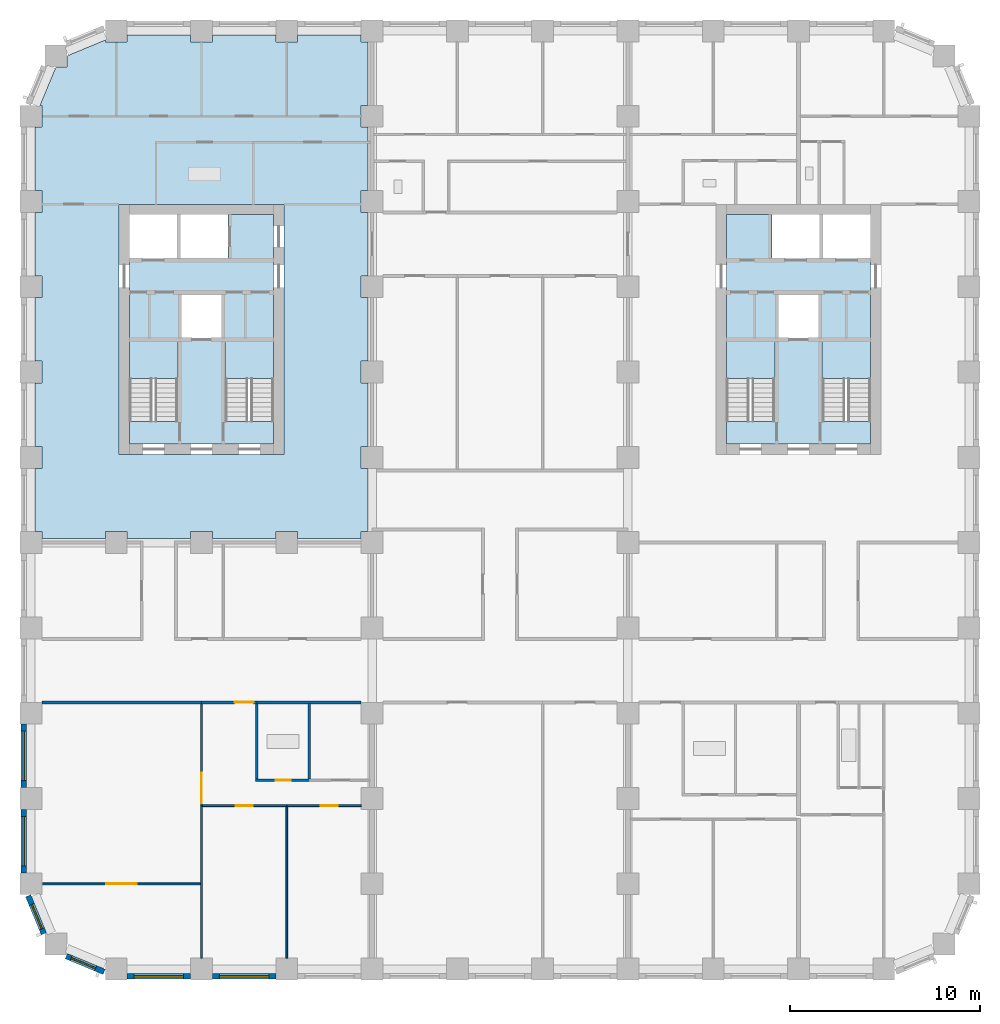
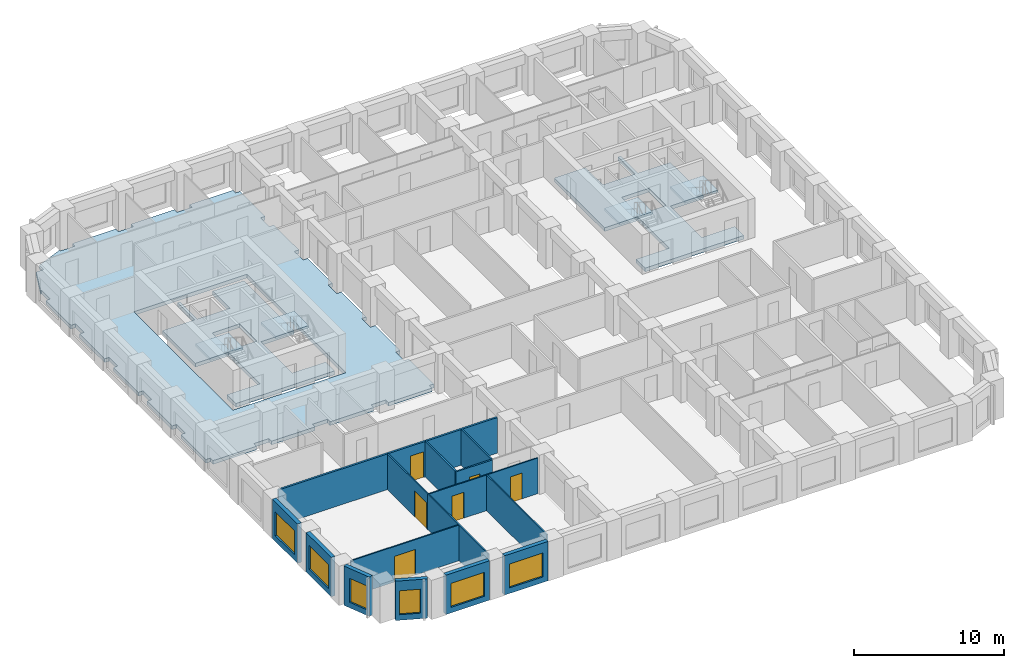
# One storey, part 2 of 13: 18 walls, 7 slabs, 6 doors, 6 windows, 12 openings, 4 elements without a shape of their own.
"""IFC4 building model written with IfcOpenShell, lengths in metres."""

from ifc_helpers import new_model, si_unit, direction, frame, frame_2d, origin, place, context, subcontext, project, spatial, polyline, rectangle, outline, extrude, material, layer, layer_set, type_object, element, fill, aggregate, save


model = new_model("IFC4")

# Units and contexts
model_context = context("Model", 3, precision=1e-05, world=origin(), true_north=direction((0.0, 1.0)))
body_context = subcontext(model_context, "Body", "Model", "MODEL_VIEW")
ifc_project = project(units=[si_unit("LENGTHUNIT", "METRE"), si_unit("AREAUNIT", "SQUARE_METRE"), si_unit("VOLUMEUNIT", "CUBIC_METRE"), si_unit("PLANEANGLEUNIT", "RADIAN"), si_unit("MASSUNIT", "GRAM", prefix="KILO")], contexts=[model_context])

# Site, building, storey
site_placement = place(None, origin())
site = spatial("IfcSite", under=ifc_project, at=site_placement, CompositionType="ELEMENT")
building_placement = place(site_placement, origin())
building = spatial("IfcBuilding", under=site, at=building_placement, Name="Girih Gate Residences", CompositionType="ELEMENT")
storey_placement = place(building_placement, frame((0.0, 0.0, 96.0)))
storey = spatial("IfcBuildingStorey", under=building, at=storey_placement, Name="L26", CompositionType="ELEMENT", Elevation=96.0)

# Slabs
ifc_material_1 = material(Name="Concrete C40/50", Category="concrete")
ifc_layer_1 = layer(ifc_material_1, 0.300048828125)
ifc_layer_set_1 = layer_set([ifc_layer_1], Name="Core floor slab 300")
slab_type_1 = type_object("IfcSlabType", Name="Core floor slab 300", PredefinedType="FLOOR", material=ifc_layer_set_1)
slab_1_placement = place(storey_placement, frame((0.0, 0.0, -0.300048828125)))
element("IfcSlab", 1, at=slab_1_placement, inside=storey, type_object=slab_type_1, Name="L26 W core floor", PredefinedType="FLOOR", context=body_context, shape_type="SweptSolid", body=[
    extrude(outline(polyline([(12.800048828125, 27.699951171875), (5.199951171875, 27.699951171875), (5.199951171875, 28.900634765625), (7.75, 28.900634765625), (7.75, 33.10009765625), (5.199951171875, 33.10009765625), (5.199951171875, 37.5), (7.699951171875, 37.5), (7.699951171875, 39.800048828125), (7.89990234375, 39.800048828125), (7.89990234375, 37.5), (10.39990234375, 37.5), (10.39990234375, 39.800048828125), (12.800048828125, 39.800048828125), (12.800048828125, 33.10009765625), (10.25, 33.10009765625), (10.25, 28.900634765625), (12.800048828125, 28.900634765625), (12.800048828125, 27.699951171875)]), holes=[polyline([(7.949951171875, 33.300048828125), (10.050048828125, 33.300048828125), (10.050048828125, 35.60009765625), (7.949951171875, 35.60009765625), (7.949951171875, 33.300048828125)])]), origin(), (0.0, 0.0, 1.0), 0.300048828125),
])
slab_2_placement = place(storey_placement, frame((0.0, 0.0, -0.300048828125)))
element("IfcSlab", 2, at=slab_2_placement, inside=storey, type_object=slab_type_1, Name="L26 E core floor", PredefinedType="FLOOR", context=body_context, shape_type="SweptSolid", body=[
    extrude(outline(polyline([(44.300048828125, 27.699951171875), (36.699951171875, 27.699951171875), (36.699951171875, 28.900634765625), (39.25, 28.900634765625), (39.25, 33.10009765625), (36.699951171875, 33.10009765625), (36.699951171875, 39.800048828125), (39.10009765625, 39.800048828125), (39.10009765625, 37.5), (41.60009765625, 37.5), (41.60009765625, 39.800048828125), (41.800048828125, 39.800048828125), (41.800048828125, 37.5), (44.300048828125, 37.5), (44.300048828125, 33.10009765625), (41.75, 33.10009765625), (41.75, 28.900634765625), (44.300048828125, 28.900634765625), (44.300048828125, 27.699951171875)]), holes=[polyline([(39.449951171875, 33.300048828125), (41.550048828125, 33.300048828125), (41.550048828125, 35.60009765625), (39.449951171875, 35.60009765625), (39.449951171875, 33.300048828125)])]), origin(), (0.0, 0.0, 1.0), 0.300048828125),
])
ifc_layer_2 = layer(ifc_material_1, 0.300048828125)
ifc_layer_set_2 = layer_set([ifc_layer_2], Name="Floor slab PT 300 Concrete C40/50")
slab_type_2 = type_object("IfcSlabType", Name="Floor slab PT 300 Concrete C40/50", PredefinedType="FLOOR", material=ifc_layer_set_2)
slab_3_placement = place(storey_placement, frame((0.0, 0.0, -0.300048828125)))
element("IfcSlab", 3, at=slab_3_placement, inside=storey, type_object=slab_type_2, Name="Floor slab L26 3", PredefinedType="FLOOR", context=body_context, shape_type="SweptSolid", body=[
    extrude(outline(polyline([(0.22509765625, 26.425048828125), (0.22509765625, 23.074951171875), (0.574951171875, 23.074951171875), (0.574951171875, 22.72509765625), (3.925048828125, 22.72509765625), (3.925048828125, 23.074951171875), (5.074951171875, 23.074951171875), (5.074951171875, 22.72509765625), (8.425048828125, 22.72509765625), (8.425048828125, 23.074951171875), (9.574951171875, 23.074951171875), (9.574951171875, 22.72509765625), (12.925048828125, 22.72509765625), (12.925048828125, 23.074951171875), (14.074951171875, 23.074951171875), (14.074951171875, 22.72509765625), (17.425048828125, 22.72509765625), (17.425048828125, 23.074951171875), (17.77490234375, 23.074951171875), (17.77490234375, 26.425048828125), (17.425048828125, 26.425048828125), (17.425048828125, 27.574951171875), (17.77490234375, 27.574951171875), (17.77490234375, 30.925048828125), (17.425048828125, 30.925048828125), (17.425048828125, 32.074951171875), (17.77490234375, 32.074951171875), (17.77490234375, 35.425048828125), (17.425048828125, 35.425048828125), (17.425048828125, 36.574951171875), (17.77490234375, 36.574951171875), (17.77490234375, 39.925048828125), (17.425048828125, 39.925048828125), (17.425048828125, 41.074951171875), (17.77490234375, 41.074951171875), (17.77490234375, 44.425048828125), (17.425048828125, 44.425048828125), (17.425048828125, 45.574951171875), (17.77490234375, 45.574951171875), (17.77490234375, 48.925048828125), (17.425048828125, 48.925048828125), (17.425048828125, 49.27490234375), (14.074951171875, 49.27490234375), (14.074951171875, 48.925048828125), (12.925048828125, 48.925048828125), (12.925048828125, 49.27490234375), (9.574951171875, 49.27490234375), (9.574951171875, 48.925048828125), (8.425048828125, 48.925048828125), (8.425048828125, 49.27490234375), (5.074951171875, 49.27490234375), (5.074951171875, 48.925048828125), (3.925048828125, 48.925048828125), (3.925048828125, 49.018310546875), (1.89306640625, 48.176513671875), (1.89306640625, 47.60693359375), (1.323486328125, 47.60693359375), (0.481689453125, 45.574951171875), (0.574951171875, 45.574951171875), (0.574951171875, 44.425048828125), (0.22509765625, 44.425048828125), (0.22509765625, 41.074951171875), (0.574951171875, 41.074951171875), (0.574951171875, 39.925048828125), (0.22509765625, 39.925048828125), (0.22509765625, 36.574951171875), (0.574951171875, 36.574951171875), (0.574951171875, 35.425048828125), (0.22509765625, 35.425048828125), (0.22509765625, 32.074951171875), (0.574951171875, 32.074951171875), (0.574951171875, 30.925048828125), (0.22509765625, 30.925048828125), (0.22509765625, 27.574951171875), (0.574951171875, 27.574951171875), (0.574951171875, 26.425048828125), (0.22509765625, 26.425048828125)]), holes=[polyline([(13.35009765625, 40.35009765625), (13.35009765625, 27.14990234375), (4.64990234375, 27.14990234375), (4.64990234375, 40.35009765625), (13.35009765625, 40.35009765625)])]), origin(), (0.0, 0.0, 1.0), 0.300048828125),
])

# Stair, slab
stair_type = type_object("IfcStairType", Name="Exit stair", PredefinedType="HALF_TURN_STAIR", material=ifc_material_1)
stair_1_placement = place(storey_placement, origin())
stair_1 = element("IfcStair", 4, at=stair_1_placement, inside=storey, type_object=stair_type, Name="L26 Exit Stair ST-W1", PredefinedType="HALF_TURN_STAIR")
ifc_layer_3 = layer(ifc_material_1, 0.199951171875)
ifc_layer_set_3 = layer_set([ifc_layer_3], Name="Stair landing 200")
slab_type_3 = type_object("IfcSlabType", Name="Stair landing 200", PredefinedType="LANDING", material=ifc_layer_set_3)
slab_4_placement = place(storey_placement, frame((0.0, 0.0, 1.39990234375)))
slab_4 = element("IfcSlab", 5, at=slab_4_placement, type_object=slab_type_3, Name="ST-W1 landing 1", PredefinedType="LANDING", context=body_context, shape_type="SweptSolid", body=[
    extrude(outline(polyline([(7.75, 31.14990234375), (7.75, 33.10009765625), (5.199951171875, 33.10009765625), (5.199951171875, 31.14990234375), (7.75, 31.14990234375)])), origin(), (0.0, 0.0, 1.0), 0.2001953125),
])
aggregate(stair_1, [slab_4])

stair_2_placement = place(storey_placement, origin())
stair_2 = element("IfcStair", 6, at=stair_2_placement, inside=storey, type_object=stair_type, Name="L26 Exit Stair ST-W2", PredefinedType="HALF_TURN_STAIR")
slab_5_placement = place(storey_placement, frame((0.0, 0.0, 1.39990234375)))
slab_5 = element("IfcSlab", 7, at=slab_5_placement, type_object=slab_type_3, Name="ST-W2 landing 1", PredefinedType="LANDING", context=body_context, shape_type="SweptSolid", body=[
    extrude(outline(polyline([(12.800048828125, 31.14990234375), (12.800048828125, 33.10009765625), (10.25, 33.10009765625), (10.25, 31.14990234375), (12.800048828125, 31.14990234375)])), origin(), (0.0, 0.0, 1.0), 0.2001953125),
])
aggregate(stair_2, [slab_5])

stair_3_placement = place(storey_placement, origin())
stair_3 = element("IfcStair", 8, at=stair_3_placement, inside=storey, type_object=stair_type, Name="L26 Exit Stair ST-E1", PredefinedType="HALF_TURN_STAIR")
slab_6_placement = place(storey_placement, frame((0.0, 0.0, 1.39990234375)))
slab_6 = element("IfcSlab", 9, at=slab_6_placement, type_object=slab_type_3, Name="ST-E1 landing 1", PredefinedType="LANDING", context=body_context, shape_type="SweptSolid", body=[
    extrude(outline(polyline([(44.300048828125, 31.14990234375), (44.300048828125, 33.10009765625), (41.75, 33.10009765625), (41.75, 31.14990234375), (44.300048828125, 31.14990234375)])), origin(), (0.0, 0.0, 1.0), 0.2001953125),
])
aggregate(stair_3, [slab_6])

stair_4_placement = place(storey_placement, origin())
stair_4 = element("IfcStair", 10, at=stair_4_placement, inside=storey, type_object=stair_type, Name="L26 Exit Stair ST-E2", PredefinedType="HALF_TURN_STAIR")
slab_7_placement = place(storey_placement, frame((0.0, 0.0, 1.39990234375)))
slab_7 = element("IfcSlab", 11, at=slab_7_placement, type_object=slab_type_3, Name="ST-E2 landing 1", PredefinedType="LANDING", context=body_context, shape_type="SweptSolid", body=[
    extrude(outline(polyline([(39.25, 31.14990234375), (39.25, 33.10009765625), (36.699951171875, 33.10009765625), (36.699951171875, 31.14990234375), (39.25, 31.14990234375)])), origin(), (0.0, 0.0, 1.0), 0.2001953125),
])
aggregate(stair_4, [slab_7])

# Walls
ifc_material_2 = material(Name="Gypsum board on steel studs", Category="steel")
ifc_layer_4 = layer(ifc_material_2, 0.14990234375)
ifc_layer_set_4 = layer_set([ifc_layer_4], Name="Compartment wall 150 mm")
wall_type_1 = type_object("IfcWallType", Name="Compartment wall 150 mm", PredefinedType="PARTITIONING", material=ifc_layer_set_4)
wall_1_placement = place(storey_placement, frame((11.925048828125, 14.074951171875, 0.0), z_axis=(0.0, 0.0, 1.0), x_axis=(1.0, 0.0, 0.0)))
element("IfcWall", 12, at=wall_1_placement, inside=storey, type_object=wall_type_1, Name="L26 partition", PredefinedType="PARTITIONING", context=body_context, shape_type="SweptSolid", body=[
    extrude(rectangle(XDim=5.5, YDim=0.14990234375, at=frame_2d((2.75, 0.0))), origin(), (0.0, 0.0, 1.0), 2.89990234375),
])
wall_2_placement = place(storey_placement, frame((0.574951171875, 14.074951171875, 0.0), z_axis=(0.0, 0.0, 1.0), x_axis=(1.0, 0.0, 0.0)))
element("IfcWall", 13, at=wall_2_placement, inside=storey, type_object=wall_type_1, Name="L26 partition", PredefinedType="PARTITIONING", context=body_context, shape_type="SweptSolid", body=[
    extrude(rectangle(XDim=8.425048828125, YDim=0.14990234375, at=frame_2d((4.21240234375, 0.0))), origin(), (0.0, 0.0, 1.0), 2.89990234375),
])

# Wall, opening, door
wall_3_placement = place(storey_placement, frame((11.925048828125, 14.074951171875, 0.0), z_axis=(0.0, 0.0, 1.0), x_axis=(-1.0, 0.0, 0.0)))
wall_3 = element("IfcWall", 14, at=wall_3_placement, inside=storey, type_object=wall_type_1, Name="L26 partition", PredefinedType="PARTITIONING", context=body_context, shape_type="SweptSolid", body=[
    extrude(rectangle(XDim=2.925048828125, YDim=0.14990234375, at=frame_2d((1.46240234375, 0.0))), origin(), (0.0, 0.0, 1.0), 2.89990234375),
])
opening_1_placement = place(wall_3_placement, frame((0.175048828125, 0.0, 0.0)))
opening_1 = element("IfcOpeningElement", 15, at=opening_1_placement, cuts=wall_3, Name="Opening A26-007", PredefinedType="OPENING", context=body_context, shape_type="SweptSolid", body=[
    extrude(rectangle(XDim=1.0, YDim=2.10009765625, at=frame_2d((0.5, 1.050048828125))), frame((0.0, 0.0849609375, 0.0), z_axis=(0.0, -1.0, 0.0), x_axis=(1.0, 0.0, 0.0)), (0.0, 0.0, 1.0), 0.169921875),
])
ifc_material_3 = material(Name="Timber, fire-rated core", Category="wood")
door_type_1 = type_object("IfcDoorType", Name="Flat entrance door 1000x2100 FD30S", OperationType="NOTDEFINED", PredefinedType="DOOR", material=ifc_material_3)
door_1_placement = place(opening_1_placement, origin())
door_1 = element("IfcDoor", 16, at=door_1_placement, inside=storey, type_object=door_type_1, Name="Door A26-007", OperationType="SINGLE_SWING_LEFT", OverallHeight=2.10009765625, OverallWidth=1.0, PredefinedType="DOOR", context=body_context, shape_type="SweptSolid", body=[
    extrude(rectangle(XDim=1.0, YDim=2.10009765625, at=frame_2d((0.5, 1.050048828125))), frame((0.0, 0.02490234375, 0.0), z_axis=(0.0, -1.0, 0.0), x_axis=(1.0, 0.0, 0.0)), (0.0, 0.0, 1.0), 0.050048828125),
])
fill(opening_1, door_1)

# Wall
ifc_layer_5 = layer(ifc_material_2, 0.10009765625)
ifc_layer_set_5 = layer_set([ifc_layer_5], Name="Partition 100 mm")
wall_type_2 = type_object("IfcWallType", Name="Partition 100 mm", PredefinedType="PARTITIONING", material=ifc_layer_set_5)
wall_4_placement = place(storey_placement, frame((13.5, 0.574951171875, 0.0), z_axis=(0.0, 0.0, 1.0), x_axis=(0.0, 1.0, 0.0)))
element("IfcWall", 17, at=wall_4_placement, inside=storey, type_object=wall_type_2, Name="L26 partition", PredefinedType="PARTITIONING", context=body_context, shape_type="SweptSolid", body=[
    extrude(rectangle(XDim=8.0, YDim=0.10009765625, at=frame_2d((4.0, 0.0))), origin(), (0.0, 0.0, 1.0), 2.89990234375),
])

# Wall, opening, door
wall_5_placement = place(storey_placement, frame((13.5, 8.625, 0.0), z_axis=(0.0, 0.0, 1.0), x_axis=(-1.0, 0.0, 0.0)))
wall_5 = element("IfcWall", 18, at=wall_5_placement, inside=storey, type_object=wall_type_2, Name="L26 partition", PredefinedType="PARTITIONING", context=body_context, shape_type="SweptSolid", body=[
    extrude(rectangle(XDim=4.449951171875, YDim=0.10009765625, at=frame_2d((2.22509765625, 0.0))), origin(), (0.0, 0.0, 1.0), 2.89990234375),
])
opening_2_placement = place(wall_5_placement, frame((1.800048828125, 0.0, 0.0)))
opening_2 = element("IfcOpeningElement", 19, at=opening_2_placement, cuts=wall_5, Name="Opening A26-002", PredefinedType="OPENING", context=body_context, shape_type="SweptSolid", body=[
    extrude(rectangle(XDim=0.89990234375, YDim=2.10009765625, at=frame_2d((0.449951171875, 1.050048828125))), frame((0.0, 0.06005859375, 0.0), z_axis=(0.0, -1.0, 0.0), x_axis=(1.0, 0.0, 0.0)), (0.0, 0.0, 1.0), 0.1201171875),
])
ifc_material_4 = material(Name="Timber", Category="wood")
door_type_2 = type_object("IfcDoorType", Name="Bedroom door 900x2100", OperationType="NOTDEFINED", PredefinedType="DOOR", material=ifc_material_4)
door_2_placement = place(opening_2_placement, origin())
door_2 = element("IfcDoor", 20, at=door_2_placement, inside=storey, type_object=door_type_2, Name="Door A26-002", OperationType="SINGLE_SWING_RIGHT", OverallHeight=2.10009765625, OverallWidth=0.89990234375, PredefinedType="DOOR", context=body_context, shape_type="SweptSolid", body=[
    extrude(rectangle(XDim=0.89990234375, YDim=2.10009765625, at=frame_2d((0.449951171875, 1.050048828125))), frame((0.0, 0.02490234375, 0.0), z_axis=(0.0, -1.0, 0.0), x_axis=(1.0, 0.0, 0.0)), (0.0, 0.0, 1.0), 0.050048828125),
])
fill(opening_2, door_2)

# Wall
wall_6_placement = place(storey_placement, frame((9.0, 0.574951171875, 0.0), z_axis=(0.0, 0.0, 1.0), x_axis=(0.0, 1.0, 0.0)))
element("IfcWall", 21, at=wall_6_placement, inside=storey, type_object=wall_type_2, Name="L26 partition", PredefinedType="PARTITIONING", context=body_context, shape_type="SweptSolid", body=[
    extrude(rectangle(XDim=8.050048828125, YDim=0.10009765625, at=frame_2d((4.02490234375, 0.0))), origin(), (0.0, 0.0, 1.0), 2.89990234375),
])

# Wall, opening, door
wall_7_placement = place(storey_placement, frame((17.425048828125, 8.625, 0.0), z_axis=(0.0, 0.0, 1.0), x_axis=(-1.0, 0.0, 0.0)))
wall_7 = element("IfcWall", 22, at=wall_7_placement, inside=storey, type_object=wall_type_2, Name="L26 partition", PredefinedType="PARTITIONING", context=body_context, shape_type="SweptSolid", body=[
    extrude(rectangle(XDim=3.925048828125, YDim=0.10009765625, at=frame_2d((1.96240234375, 0.0))), origin(), (0.0, 0.0, 1.0), 2.89990234375),
])
opening_3_placement = place(wall_7_placement, frame((1.22509765625, 0.0, 0.0)))
opening_3 = element("IfcOpeningElement", 23, at=opening_3_placement, cuts=wall_7, Name="Opening A26-003", PredefinedType="OPENING", context=body_context, shape_type="SweptSolid", body=[
    extrude(rectangle(XDim=0.89990234375, YDim=2.10009765625, at=frame_2d((0.449951171875, 1.050048828125))), frame((0.0, 0.06005859375, 0.0), z_axis=(0.0, -1.0, 0.0), x_axis=(1.0, 0.0, 0.0)), (0.0, 0.0, 1.0), 0.1201171875),
])
door_3_placement = place(opening_3_placement, origin())
door_3 = element("IfcDoor", 24, at=door_3_placement, inside=storey, type_object=door_type_2, Name="Door A26-003", OperationType="SINGLE_SWING_LEFT", OverallHeight=2.10009765625, OverallWidth=0.89990234375, PredefinedType="DOOR", context=body_context, shape_type="SweptSolid", body=[
    extrude(rectangle(XDim=0.89990234375, YDim=2.10009765625, at=frame_2d((0.449951171875, 1.050048828125))), frame((0.0, 0.02490234375, 0.0), z_axis=(0.0, -1.0, 0.0), x_axis=(1.0, 0.0, 0.0)), (0.0, 0.0, 1.0), 0.050048828125),
])
fill(opening_3, door_3)

wall_8_placement = place(storey_placement, frame((9.0, 8.625, 0.0), z_axis=(0.0, 0.0, 1.0), x_axis=(0.0, 1.0, 0.0)))
wall_8 = element("IfcWall", 25, at=wall_8_placement, inside=storey, type_object=wall_type_2, Name="L26 partition", PredefinedType="PARTITIONING", context=body_context, shape_type="SweptSolid", body=[
    extrude(rectangle(XDim=5.375, YDim=0.10009765625, at=frame_2d((2.6875, 0.0))), origin(), (0.0, 0.0, 1.0), 2.89990234375),
])
opening_4_placement = place(wall_8_placement, frame((0.1298828125, 0.0, 0.0)))
opening_4 = element("IfcOpeningElement", 26, at=opening_4_placement, cuts=wall_8, Name="Opening A26-004", PredefinedType="OPENING", context=body_context, shape_type="SweptSolid", body=[
    extrude(rectangle(XDim=1.60009765625, YDim=2.10009765625, at=frame_2d((0.800048828125, 1.050048828125))), frame((0.0, 0.06005859375, 0.0), z_axis=(0.0, -1.0, 0.0), x_axis=(1.0, 0.0, 0.0)), (0.0, 0.0, 1.0), 0.1201171875),
])
door_type_3 = type_object("IfcDoorType", Name="Double leaf door 1600x2100", OperationType="NOTDEFINED", PredefinedType="DOOR", material=ifc_material_4)
door_4_placement = place(opening_4_placement, origin())
door_4 = element("IfcDoor", 27, at=door_4_placement, inside=storey, type_object=door_type_3, Name="Door A26-004", OperationType="SINGLE_SWING_LEFT", OverallHeight=2.10009765625, OverallWidth=1.60009765625, PredefinedType="DOOR", context=body_context, shape_type="SweptSolid", body=[
    extrude(rectangle(XDim=1.60009765625, YDim=2.10009765625, at=frame_2d((0.800048828125, 1.050048828125))), frame((0.0, 0.02490234375, 0.0), z_axis=(0.0, -1.0, 0.0), x_axis=(1.0, 0.0, 0.0)), (0.0, 0.0, 1.0), 0.050048828125),
])
fill(opening_4, door_4)

wall_9_placement = place(storey_placement, frame((0.622314453125, 4.5, 0.0), z_axis=(0.0, 0.0, 1.0), x_axis=(1.0, 0.0, 0.0)))
wall_9 = element("IfcWall", 28, at=wall_9_placement, inside=storey, type_object=wall_type_2, Name="L26 partition", PredefinedType="PARTITIONING", context=body_context, shape_type="SweptSolid", body=[
    extrude(rectangle(XDim=8.32763671875, YDim=0.10009765625, at=frame_2d((4.163818359375, 0.0))), origin(), (0.0, 0.0, 1.0), 2.89990234375),
])
opening_5_placement = place(wall_9_placement, frame((3.364990234375, 0.0, 0.0)))
opening_5 = element("IfcOpeningElement", 29, at=opening_5_placement, cuts=wall_9, Name="Opening A26-005", PredefinedType="OPENING", context=body_context, shape_type="SweptSolid", body=[
    extrude(rectangle(XDim=1.60009765625, YDim=2.10009765625, at=frame_2d((0.800048828125, 1.050048828125))), frame((0.0, 0.06005859375, 0.0), z_axis=(0.0, -1.0, 0.0), x_axis=(1.0, 0.0, 0.0)), (0.0, 0.0, 1.0), 0.1201171875),
])
door_5_placement = place(opening_5_placement, origin())
door_5 = element("IfcDoor", 30, at=door_5_placement, inside=storey, type_object=door_type_3, Name="Door A26-005", OperationType="SINGLE_SWING_RIGHT", OverallHeight=2.10009765625, OverallWidth=1.60009765625, PredefinedType="DOOR", context=body_context, shape_type="SweptSolid", body=[
    extrude(rectangle(XDim=1.60009765625, YDim=2.10009765625, at=frame_2d((0.800048828125, 1.050048828125))), frame((0.0, 0.02490234375, 0.0), z_axis=(0.0, -1.0, 0.0), x_axis=(1.0, 0.0, 0.0)), (0.0, 0.0, 1.0), 0.050048828125),
])
fill(opening_5, door_5)

# Wall, opening, window
ifc_material_5 = material(Name="Precast concrete C50/60", Category="concrete")
ifc_layer_6 = layer(ifc_material_5, 0.080078125, Name="Outer leaf")
ifc_material_6 = material(Name="Rigid PIR insulation")
ifc_layer_7 = layer(ifc_material_6, 0.14990234375, Name="Insulation")
ifc_material_7 = material(Name="Precast concrete C40/50", Category="concrete")
ifc_layer_8 = layer(ifc_material_7, 0.070068359375, Name="Inner leaf")
ifc_layer_set_6 = layer_set([ifc_layer_6, ifc_layer_7, ifc_layer_8], Name="Precast concrete C50/60 external wall 300")
wall_type_3 = type_object("IfcWallType", Name="Precast concrete C50/60 external wall 300", PredefinedType="SOLIDWALL", material=ifc_layer_set_6)
wall_10_placement = place(storey_placement, frame((0.68408203125, 1.86865234375, 0.0), z_axis=(0.0, 0.0, 1.0), x_axis=(-0.382723818695, 0.923862802911, 0.0)))
wall_10 = element("IfcWall", 31, at=wall_10_placement, inside=storey, type_object=wall_type_3, Name="External wall SW0000_0045.0", PredefinedType="SOLIDWALL", context=body_context, shape_type="SweptSolid", body=[
    extrude(rectangle(XDim=2.163818359375, YDim=0.300048828125, at=frame_2d((1.08203125, 0.0))), origin(), (0.0, 0.0, 1.0), 3.199951171875),
])
opening_6_placement = place(wall_10_placement, frame((0.270751953125, 0.0, 0.449951171875)))
opening_6 = element("IfcOpeningElement", 32, at=opening_6_placement, cuts=wall_10, Name="Opening W-2D", PredefinedType="OPENING", context=body_context, shape_type="SweptSolid", body=[
    extrude(rectangle(XDim=1.39990234375, YDim=1.949951171875, at=frame_2d((0.699951171875, 0.97509765625))), frame((0.0, 0.159912109375, 0.0), z_axis=(0.0, -1.0, 0.0), x_axis=(1.0, 0.0, 0.0)), (0.0, 0.0, 1.0), 0.320068359375),
])
ifc_material_8 = material(Name="Double glazing in aluminium frame", Category="aluminium")
window_type_1 = type_object("IfcWindowType", Name="Window W-2D 1400x1950", PartitioningType="SINGLE_PANEL", PredefinedType="WINDOW", material=ifc_material_8)
window_1_placement = place(opening_6_placement, origin())
window_1 = element("IfcWindow", 33, at=window_1_placement, inside=storey, type_object=window_type_1, Name="Window W-2D SW0000_0045.0", OverallHeight=1.949951171875, OverallWidth=1.39990234375, PartitioningType="SINGLE_PANEL", PredefinedType="WINDOW", context=body_context, shape_type="SweptSolid", body=[
    extrude(rectangle(XDim=1.39990234375, YDim=1.949951171875, at=frame_2d((0.699951171875, 0.97509765625))), frame((0.0, 0.030029296875, 0.0), z_axis=(0.0, -1.0, 0.0), x_axis=(1.0, 0.0, 0.0)), (0.0, 0.0, 1.0), 0.06005859375),
])
fill(opening_6, window_1)

wall_11_placement = place(storey_placement, frame((3.86767578125, -0.14404296875, 0.0), z_axis=(0.0, 0.0, 1.0), x_axis=(-0.923862802911, 0.382723818695, 0.0)))
wall_11 = element("IfcWall", 34, at=wall_11_placement, inside=storey, type_object=wall_type_3, Name="External wall SW0013_0013.0", PredefinedType="SOLIDWALL", context=body_context, shape_type="SweptSolid", body=[
    extrude(rectangle(XDim=2.163818359375, YDim=0.300048828125, at=frame_2d((1.08203125, 0.0))), origin(), (0.0, 0.0, 1.0), 3.199951171875),
])
opening_7_placement = place(wall_11_placement, frame((0.492919921875, 0.0, 0.449951171875)))
opening_7 = element("IfcOpeningElement", 35, at=opening_7_placement, cuts=wall_11, Name="Opening W-2D", PredefinedType="OPENING", context=body_context, shape_type="SweptSolid", body=[
    extrude(rectangle(XDim=1.39990234375, YDim=1.949951171875, at=frame_2d((0.699951171875, 0.97509765625))), frame((0.0, 0.159912109375, 0.0), z_axis=(0.0, -1.0, 0.0), x_axis=(1.0, 0.0, 0.0)), (0.0, 0.0, 1.0), 0.320068359375),
])
window_2_placement = place(opening_7_placement, origin())
window_2 = element("IfcWindow", 36, at=window_2_placement, inside=storey, type_object=window_type_1, Name="Window W-2D SW0013_0013.0", OverallHeight=1.949951171875, OverallWidth=1.39990234375, PartitioningType="SINGLE_PANEL", PredefinedType="WINDOW", context=body_context, shape_type="SweptSolid", body=[
    extrude(rectangle(XDim=1.39990234375, YDim=1.949951171875, at=frame_2d((0.699951171875, 0.97509765625))), frame((0.0, 0.030029296875, 0.0), z_axis=(0.0, -1.0, 0.0), x_axis=(1.0, 0.0, 0.0)), (0.0, 0.0, 1.0), 0.06005859375),
])
fill(opening_7, window_2)

wall_12_placement = place(storey_placement, frame((8.425048828125, -0.375, 0.0), z_axis=(0.0, 0.0, 1.0), x_axis=(-1.0, 0.0, 0.0)))
wall_12 = element("IfcWall", 37, at=wall_12_placement, inside=storey, type_object=wall_type_3, Name="External wall S0045_0000.0", PredefinedType="SOLIDWALL", context=body_context, shape_type="SweptSolid", body=[
    extrude(rectangle(XDim=3.35009765625, YDim=0.300048828125, at=frame_2d((1.675048828125, 0.0))), origin(), (0.0, 0.0, 1.0), 3.199951171875),
])
opening_8_placement = place(wall_12_placement, frame((0.375, 0.0, 0.449951171875)))
opening_8 = element("IfcOpeningElement", 38, at=opening_8_placement, cuts=wall_12, Name="Opening W-1A", PredefinedType="OPENING", context=body_context, shape_type="SweptSolid", body=[
    extrude(rectangle(XDim=2.60009765625, YDim=1.949951171875, at=frame_2d((1.300048828125, 0.97509765625))), frame((0.0, 0.159912109375, 0.0), z_axis=(0.0, -1.0, 0.0), x_axis=(1.0, 0.0, 0.0)), (0.0, 0.0, 1.0), 0.320068359375),
])
window_type_2 = type_object("IfcWindowType", Name="Window W-1A 2600x1950", PartitioningType="SINGLE_PANEL", PredefinedType="WINDOW", material=ifc_material_8)
window_3_placement = place(opening_8_placement, origin())
window_3 = element("IfcWindow", 39, at=window_3_placement, inside=storey, type_object=window_type_2, Name="Window W-1A S0045_0000.0", OverallHeight=1.949951171875, OverallWidth=2.60009765625, PartitioningType="SINGLE_PANEL", PredefinedType="WINDOW", context=body_context, shape_type="SweptSolid", body=[
    extrude(rectangle(XDim=2.60009765625, YDim=1.949951171875, at=frame_2d((1.300048828125, 0.97509765625))), frame((0.0, 0.030029296875, 0.0), z_axis=(0.0, -1.0, 0.0), x_axis=(1.0, 0.0, 0.0)), (0.0, 0.0, 1.0), 0.06005859375),
])
fill(opening_8, window_3)

wall_13_placement = place(storey_placement, frame((12.925048828125, -0.375, 0.0), z_axis=(0.0, 0.0, 1.0), x_axis=(-1.0, 0.0, 0.0)))
wall_13 = element("IfcWall", 40, at=wall_13_placement, inside=storey, type_object=wall_type_3, Name="External wall S0045_0000.1", PredefinedType="SOLIDWALL", context=body_context, shape_type="SweptSolid", body=[
    extrude(rectangle(XDim=3.35009765625, YDim=0.300048828125, at=frame_2d((1.675048828125, 0.0))), origin(), (0.0, 0.0, 1.0), 3.199951171875),
])
opening_9_placement = place(wall_13_placement, frame((0.375, 0.0, 0.449951171875)))
opening_9 = element("IfcOpeningElement", 41, at=opening_9_placement, cuts=wall_13, Name="Opening W-1A", PredefinedType="OPENING", context=body_context, shape_type="SweptSolid", body=[
    extrude(rectangle(XDim=2.60009765625, YDim=1.949951171875, at=frame_2d((1.300048828125, 0.97509765625))), frame((0.0, 0.159912109375, 0.0), z_axis=(0.0, -1.0, 0.0), x_axis=(1.0, 0.0, 0.0)), (0.0, 0.0, 1.0), 0.320068359375),
])
window_4_placement = place(opening_9_placement, origin())
window_4 = element("IfcWindow", 42, at=window_4_placement, inside=storey, type_object=window_type_2, Name="Window W-1A S0045_0000.1", OverallHeight=1.949951171875, OverallWidth=2.60009765625, PartitioningType="SINGLE_PANEL", PredefinedType="WINDOW", context=body_context, shape_type="SweptSolid", body=[
    extrude(rectangle(XDim=2.60009765625, YDim=1.949951171875, at=frame_2d((1.300048828125, 0.97509765625))), frame((0.0, 0.030029296875, 0.0), z_axis=(0.0, -1.0, 0.0), x_axis=(1.0, 0.0, 0.0)), (0.0, 0.0, 1.0), 0.06005859375),
])
fill(opening_9, window_4)

wall_14_placement = place(storey_placement, frame((-0.375, 9.574951171875, 0.0), z_axis=(0.0, 0.0, 1.0), x_axis=(0.0, 1.0, 0.0)))
wall_14 = element("IfcWall", 43, at=wall_14_placement, inside=storey, type_object=wall_type_3, Name="External wall W0000_0450.7", PredefinedType="SOLIDWALL", context=body_context, shape_type="SweptSolid", body=[
    extrude(rectangle(XDim=3.35009765625, YDim=0.300048828125, at=frame_2d((1.675048828125, 0.0))), origin(), (0.0, 0.0, 1.0), 3.199951171875),
])
opening_10_placement = place(wall_14_placement, frame((0.375, 0.0, 0.449951171875)))
opening_10 = element("IfcOpeningElement", 44, at=opening_10_placement, cuts=wall_14, Name="Opening W-1A", PredefinedType="OPENING", context=body_context, shape_type="SweptSolid", body=[
    extrude(rectangle(XDim=2.60009765625, YDim=1.949951171875, at=frame_2d((1.300048828125, 0.97509765625))), frame((0.0, 0.159912109375, 0.0), z_axis=(0.0, -1.0, 0.0), x_axis=(1.0, 0.0, 0.0)), (0.0, 0.0, 1.0), 0.320068359375),
])
window_5_placement = place(opening_10_placement, origin())
window_5 = element("IfcWindow", 45, at=window_5_placement, inside=storey, type_object=window_type_2, Name="Window W-1A W0000_0450.7", OverallHeight=1.949951171875, OverallWidth=2.60009765625, PartitioningType="SINGLE_PANEL", PredefinedType="WINDOW", context=body_context, shape_type="SweptSolid", body=[
    extrude(rectangle(XDim=2.60009765625, YDim=1.949951171875, at=frame_2d((1.300048828125, 0.97509765625))), frame((0.0, 0.030029296875, 0.0), z_axis=(0.0, -1.0, 0.0), x_axis=(1.0, 0.0, 0.0)), (0.0, 0.0, 1.0), 0.06005859375),
])
fill(opening_10, window_5)

wall_15_placement = place(storey_placement, frame((-0.375, 5.074951171875, 0.0), z_axis=(0.0, 0.0, 1.0), x_axis=(0.0, 1.0, 0.0)))
wall_15 = element("IfcWall", 46, at=wall_15_placement, inside=storey, type_object=wall_type_3, Name="External wall W0000_0450.8", PredefinedType="SOLIDWALL", context=body_context, shape_type="SweptSolid", body=[
    extrude(rectangle(XDim=3.35009765625, YDim=0.300048828125, at=frame_2d((1.675048828125, 0.0))), origin(), (0.0, 0.0, 1.0), 3.199951171875),
])
opening_11_placement = place(wall_15_placement, frame((0.375, 0.0, 0.449951171875)))
opening_11 = element("IfcOpeningElement", 47, at=opening_11_placement, cuts=wall_15, Name="Opening W-1A", PredefinedType="OPENING", context=body_context, shape_type="SweptSolid", body=[
    extrude(rectangle(XDim=2.60009765625, YDim=1.949951171875, at=frame_2d((1.300048828125, 0.97509765625))), frame((0.0, 0.159912109375, 0.0), z_axis=(0.0, -1.0, 0.0), x_axis=(1.0, 0.0, 0.0)), (0.0, 0.0, 1.0), 0.320068359375),
])
window_6_placement = place(opening_11_placement, origin())
window_6 = element("IfcWindow", 48, at=window_6_placement, inside=storey, type_object=window_type_2, Name="Window W-1A W0000_0450.8", OverallHeight=1.949951171875, OverallWidth=2.60009765625, PartitioningType="SINGLE_PANEL", PredefinedType="WINDOW", context=body_context, shape_type="SweptSolid", body=[
    extrude(rectangle(XDim=2.60009765625, YDim=1.949951171875, at=frame_2d((1.300048828125, 0.97509765625))), frame((0.0, 0.030029296875, 0.0), z_axis=(0.0, -1.0, 0.0), x_axis=(1.0, 0.0, 0.0)), (0.0, 0.0, 1.0), 0.06005859375),
])
fill(opening_11, window_6)

# Wall, opening, door
ifc_layer_9 = layer(ifc_material_2, 0.125)
ifc_layer_set_7 = layer_set([ifc_layer_9], Name="Wet room wall 125 mm")
wall_type_4 = type_object("IfcWallType", Name="Wet room wall 125 mm", PredefinedType="PARTITIONING", material=ifc_layer_set_7)
wall_16_placement = place(storey_placement, frame((11.862548828125, 9.965087890625, 0.0), z_axis=(0.0, 0.0, 1.0), x_axis=(1.0, 0.0, 0.0)))
wall_16 = element("IfcWall", 49, at=wall_16_placement, inside=storey, type_object=wall_type_4, Name="L26 partition", PredefinedType="PARTITIONING", context=body_context, shape_type="SweptSolid", body=[
    extrude(rectangle(XDim=2.827880859375, YDim=0.125, at=frame_2d((1.4140625, 0.0))), origin(), (0.0, 0.0, 1.0), 2.89990234375),
])
opening_12_placement = place(wall_16_placement, frame((1.04541015625, 0.0, 0.0)))
opening_12 = element("IfcOpeningElement", 50, at=opening_12_placement, cuts=wall_16, Name="Opening A26-001", PredefinedType="OPENING", context=body_context, shape_type="SweptSolid", body=[
    extrude(rectangle(XDim=0.800048828125, YDim=2.10009765625, at=frame_2d((0.39990234375, 1.050048828125))), frame((0.0, 0.072509765625, 0.0), z_axis=(0.0, -1.0, 0.0), x_axis=(1.0, 0.0, 0.0)), (0.0, 0.0, 1.0), 0.14501953125),
])
door_type_4 = type_object("IfcDoorType", Name="Bathroom door 800x2100", OperationType="NOTDEFINED", PredefinedType="DOOR", material=ifc_material_4)
door_6_placement = place(opening_12_placement, origin())
door_6 = element("IfcDoor", 51, at=door_6_placement, inside=storey, type_object=door_type_4, Name="Door A26-001", OperationType="SINGLE_SWING_RIGHT", OverallHeight=2.10009765625, OverallWidth=0.800048828125, PredefinedType="DOOR", context=body_context, shape_type="SweptSolid", body=[
    extrude(rectangle(XDim=0.800048828125, YDim=2.10009765625, at=frame_2d((0.39990234375, 1.050048828125))), frame((0.0, 0.02490234375, 0.0), z_axis=(0.0, -1.0, 0.0), x_axis=(1.0, 0.0, 0.0)), (0.0, 0.0, 1.0), 0.050048828125),
])
fill(opening_12, door_6)

# Walls
for number, where, z_axis, x_axis, name in (
    (52, (11.925048828125, 10.027587890625, 0.0), (0.0, 0.0, 1.0), (0.0, 1.0, 0.0), "L26 partition"),
    (53, (14.69091796875, 10.027587890625, 0.0), (0.0, 0.0, 1.0), (0.0, 1.0, 0.0), "L26 partition"),
):
    element("IfcWall", number, at=place(storey_placement, frame(where, z_axis=z_axis, x_axis=x_axis)), inside=storey, type_object=wall_type_4, Name=name, PredefinedType="PARTITIONING", context=body_context, shape_type="SweptSolid", body=[
        extrude(rectangle(XDim=3.972412109375, YDim=0.125, at=frame_2d((1.986328125, 0.0))), origin(), (0.0, 0.0, 1.0), 2.89990234375),
    ])

save(model, "model.ifc")
